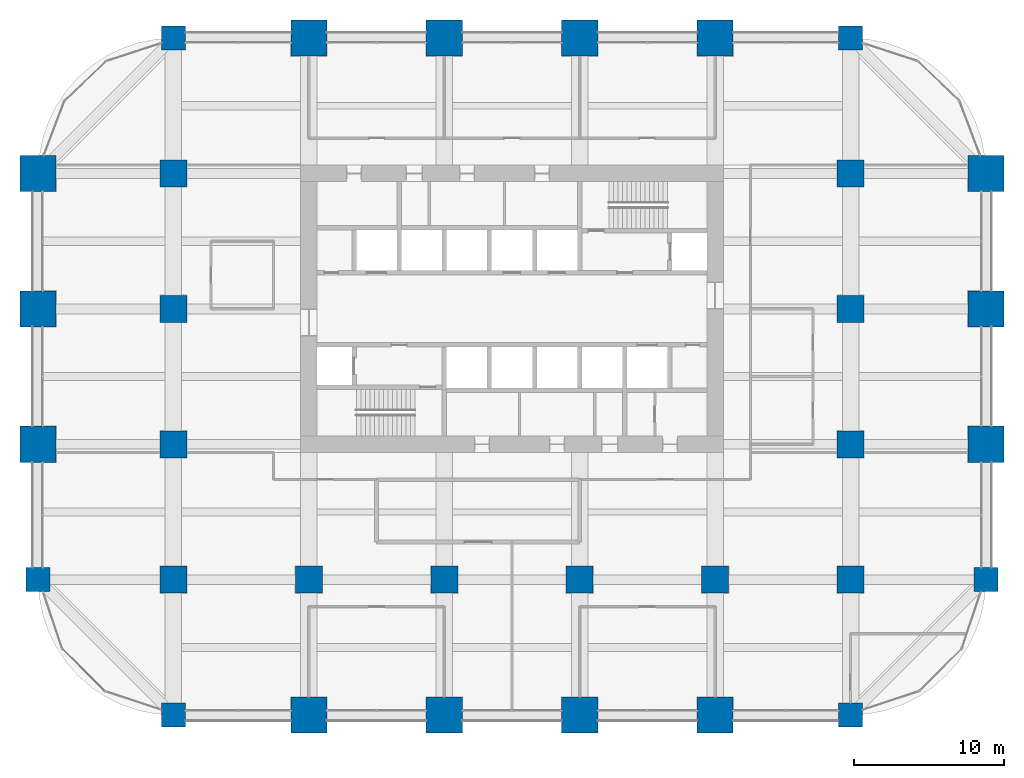
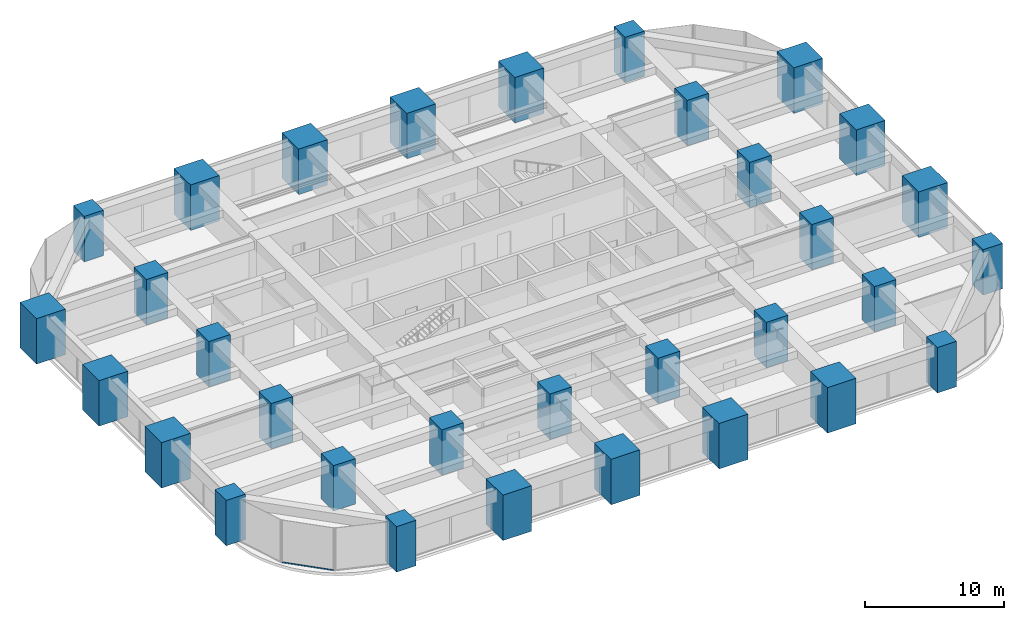
# One storey, part 1 of 39: 32 columns, 1 member, 1 element without a shape of its own.
"""IFC4 building model written with IfcOpenShell, lengths in metres."""

from ifc_helpers import new_model, si_unit, direction, frame, origin, origin_2d, place, context, subcontext, project, spatial, rectangle, hollow_rectangle, extrude, material, material_profile, profile_set, type_object, element, aggregate, save


model = new_model("IFC4")

# Units and contexts
model_context = context("Model", 3, precision=1e-05, world=origin(), true_north=direction((0.0, 1.0)))
body_context = subcontext(model_context, "Body", "Model", "MODEL_VIEW")
ifc_project = project(units=[si_unit("LENGTHUNIT", "METRE"), si_unit("AREAUNIT", "SQUARE_METRE"), si_unit("VOLUMEUNIT", "CUBIC_METRE"), si_unit("PLANEANGLEUNIT", "RADIAN"), si_unit("MASSUNIT", "GRAM", prefix="KILO")], contexts=[model_context])

# Site, building, storey
site_placement = place(None, origin())
site = spatial("IfcSite", under=ifc_project, at=site_placement, CompositionType="ELEMENT")
building_placement = place(site_placement, origin())
building = spatial("IfcBuilding", under=site, at=building_placement, Name="Zorevar Civic Tower", CompositionType="ELEMENT")
storey_placement = place(building_placement, frame((0.0, 0.0, 125.0)))
storey = spatial("IfcBuildingStorey", under=building, at=storey_placement, Name="L30", CompositionType="ELEMENT", Elevation=125.0)

# Columns
ifc_material_1 = material(Name="Concrete C50/60", Category="concrete")
ifc_material_profile_1 = material_profile(ifc_material_1, rectangle(XDim=1.60009765625, YDim=1.60009765625, at=origin_2d()), Name="RC 1600x1600")
ifc_profile_set_1 = profile_set([ifc_material_profile_1], Name="Concrete C50/60")
column_type_1 = type_object("IfcColumnType", Name="Column RC 1600x1600", PredefinedType="COLUMN", material=ifc_profile_set_1)
for number, where, z_axis, x_axis, name in (
    (1, (0.0, 9.0, 0.0), (0.0, 0.0, 1.0), (1.0, 0.0, 0.0), "Column 2B L30"),
    (2, (9.0, 0.0, 0.0), (0.0, 0.0, 1.0), (1.0, 0.0, 0.0), "Column 3A L30"),
    (3, (9.0, 45.0, 0.0), (0.0, 0.0, 1.0), (1.0, 0.0, 0.0), "Column 3F L30"),
    (4, (54.0, 0.0, 0.0), (0.0, 0.0, 1.0), (1.0, 0.0, 0.0), "Column 8A L30"),
    (5, (54.0, 45.0, 0.0), (0.0, 0.0, 1.0), (1.0, 0.0, 0.0), "Column 8F L30"),
    (6, (63.0, 9.0, 0.0), (0.0, 0.0, 1.0), (1.0, 0.0, 0.0), "Column 9B L30"),
):
    element("IfcColumn", number, at=place(storey_placement, frame(where, z_axis=z_axis, x_axis=x_axis)), inside=storey, type_object=column_type_1, Name=name, PredefinedType="COLUMN", context=body_context, shape_type="SweptSolid", body=[
        extrude(rectangle(XDim=1.60009765625, YDim=1.60009765625, at=origin_2d()), origin(), (0.0, 0.0, 1.0), 4.0),
    ])
ifc_material_2 = material(Name="Concrete C50/60", Category="concrete")
ifc_material_profile_2 = material_profile(ifc_material_2, rectangle(XDim=1.800048828125, YDim=1.800048828125, at=origin_2d()), Name="RC 1800x1800")
ifc_profile_set_2 = profile_set([ifc_material_profile_2], Name="Concrete C50/60")
column_type_2 = type_object("IfcColumnType", Name="Column RC 1800x1800", PredefinedType="COLUMN", material=ifc_profile_set_2)
for number, where, z_axis, x_axis, name in (
    (7, (9.0, 9.0, 0.0), (0.0, 0.0, 1.0), (1.0, 0.0, 0.0), "Column 3B L30"),
    (8, (9.0, 18.0, 0.0), (0.0, 0.0, 1.0), (1.0, 0.0, 0.0), "Column 3C L30"),
    (9, (9.0, 27.0, 0.0), (0.0, 0.0, 1.0), (1.0, 0.0, 0.0), "Column 3D L30"),
    (10, (9.0, 36.0, 0.0), (0.0, 0.0, 1.0), (1.0, 0.0, 0.0), "Column 3E L30"),
    (11, (18.0, 9.0, 0.0), (0.0, 0.0, 1.0), (1.0, 0.0, 0.0), "Column 4B L30"),
    (12, (27.0, 9.0, 0.0), (0.0, 0.0, 1.0), (1.0, 0.0, 0.0), "Column 5B L30"),
    (13, (36.0, 9.0, 0.0), (0.0, 0.0, 1.0), (1.0, 0.0, 0.0), "Column 6B L30"),
    (14, (45.0, 9.0, 0.0), (0.0, 0.0, 1.0), (1.0, 0.0, 0.0), "Column 7B L30"),
    (15, (54.0, 9.0, 0.0), (0.0, 0.0, 1.0), (1.0, 0.0, 0.0), "Column 8B L30"),
    (16, (54.0, 18.0, 0.0), (0.0, 0.0, 1.0), (1.0, 0.0, 0.0), "Column 8C L30"),
    (17, (54.0, 27.0, 0.0), (0.0, 0.0, 1.0), (1.0, 0.0, 0.0), "Column 8D L30"),
    (18, (54.0, 36.0, 0.0), (0.0, 0.0, 1.0), (1.0, 0.0, 0.0), "Column 8E L30"),
):
    element("IfcColumn", number, at=place(storey_placement, frame(where, z_axis=z_axis, x_axis=x_axis)), inside=storey, type_object=column_type_2, Name=name, PredefinedType="COLUMN", context=body_context, shape_type="SweptSolid", body=[
        extrude(rectangle(XDim=1.800048828125, YDim=1.800048828125, at=origin_2d()), origin(), (0.0, 0.0, 1.0), 4.0),
    ])
ifc_material_3 = material(Name="Concrete C50/60", Category="concrete")
ifc_material_profile_3 = material_profile(ifc_material_3, rectangle(XDim=2.39990234375, YDim=2.39990234375, at=origin_2d()), Name="RC 2400x2400")
ifc_profile_set_3 = profile_set([ifc_material_profile_3], Name="Concrete C50/60")
column_type_3 = type_object("IfcColumnType", Name="Mega column RC 2400x2400", PredefinedType="COLUMN", material=ifc_profile_set_3)
for number, where, z_axis, x_axis, name in (
    (19, (0.0, 18.0, 0.0), (0.0, 0.0, 1.0), (1.0, 0.0, 0.0), "Column 2C L30"),
    (20, (0.0, 27.0, 0.0), (0.0, 0.0, 1.0), (1.0, 0.0, 0.0), "Column 2D L30"),
    (21, (0.0, 36.0, 0.0), (0.0, 0.0, 1.0), (1.0, 0.0, 0.0), "Column 2E L30"),
    (22, (18.0, 0.0, 0.0), (0.0, 0.0, 1.0), (1.0, 0.0, 0.0), "Column 4A L30"),
    (23, (18.0, 45.0, 0.0), (0.0, 0.0, 1.0), (1.0, 0.0, 0.0), "Column 4F L30"),
    (24, (27.0, 0.0, 0.0), (0.0, 0.0, 1.0), (1.0, 0.0, 0.0), "Column 5A L30"),
    (25, (27.0, 45.0, 0.0), (0.0, 0.0, 1.0), (1.0, 0.0, 0.0), "Column 5F L30"),
    (26, (36.0, 0.0, 0.0), (0.0, 0.0, 1.0), (1.0, 0.0, 0.0), "Column 6A L30"),
    (27, (36.0, 45.0, 0.0), (0.0, 0.0, 1.0), (1.0, 0.0, 0.0), "Column 6F L30"),
    (28, (45.0, 0.0, 0.0), (0.0, 0.0, 1.0), (1.0, 0.0, 0.0), "Column 7A L30"),
    (29, (45.0, 45.0, 0.0), (0.0, 0.0, 1.0), (1.0, 0.0, 0.0), "Column 7F L30"),
    (30, (63.0, 18.0, 0.0), (0.0, 0.0, 1.0), (1.0, 0.0, 0.0), "Column 9C L30"),
    (31, (63.0, 27.0, 0.0), (0.0, 0.0, 1.0), (1.0, 0.0, 0.0), "Column 9D L30"),
    (32, (63.0, 36.0, 0.0), (0.0, 0.0, 1.0), (1.0, 0.0, 0.0), "Column 9E L30"),
):
    element("IfcColumn", number, at=place(storey_placement, frame(where, z_axis=z_axis, x_axis=x_axis)), inside=storey, type_object=column_type_3, Name=name, PredefinedType="COLUMN", context=body_context, shape_type="SweptSolid", body=[
        extrude(rectangle(XDim=2.39990234375, YDim=2.39990234375, at=origin_2d()), origin(), (0.0, 0.0, 1.0), 4.0),
    ])

# Curtain wall, member
ifc_material_4 = material(Name="Dark grey solar-control glass in black aluminium frame", Category="aluminium")
curtain_wall_type = type_object("IfcCurtainWallType", Name="Curtain wall CW3 mid zone", PredefinedType="NOTDEFINED", material=ifc_material_4)
curtain_wall_placement = place(storey_placement, origin())
curtain_wall = element("IfcCurtainWall", 33, at=curtain_wall_placement, inside=storey, type_object=curtain_wall_type, Name="CW3 L30", PredefinedType="NOTDEFINED")
ifc_material_5 = material(Name="Aluminium, black anodised", Category="aluminium")
ifc_material_profile_4 = material_profile(ifc_material_5, hollow_rectangle(XDim=0.06005859375, YDim=0.1201171875, WallThickness=0.0029296875, at=origin_2d()), Name="AL 120x60x3")
ifc_profile_set_4 = profile_set([ifc_material_profile_4], Name="Aluminium, black anodised")
member_type = type_object("IfcMemberType", Name="CW3 transom AL 120x60x3", PredefinedType="USERDEFINED", material=ifc_profile_set_4)
member_placement = place(storey_placement, frame((1.64501953125, 4.37841796875, 0.030029296875), z_axis=(0.707106781187, -0.707106781187, 0.0), x_axis=(0.707106781187, 0.707106781187, 0.0)))
member = element("IfcMember", 34, at=member_placement, type_object=member_type, Name="CW3 sill transom", ObjectType="TRANSOM", PredefinedType="USERDEFINED", context=body_context, shape_type="SweptSolid", body=[
    extrude(hollow_rectangle(XDim=0.06005859375, YDim=0.1201171875, WallThickness=0.0029296875, at=origin_2d()), origin(), (0.0, 0.0, 1.0), 3.86572265625),
])
aggregate(curtain_wall, [member])

save(model, "model.ifc")
